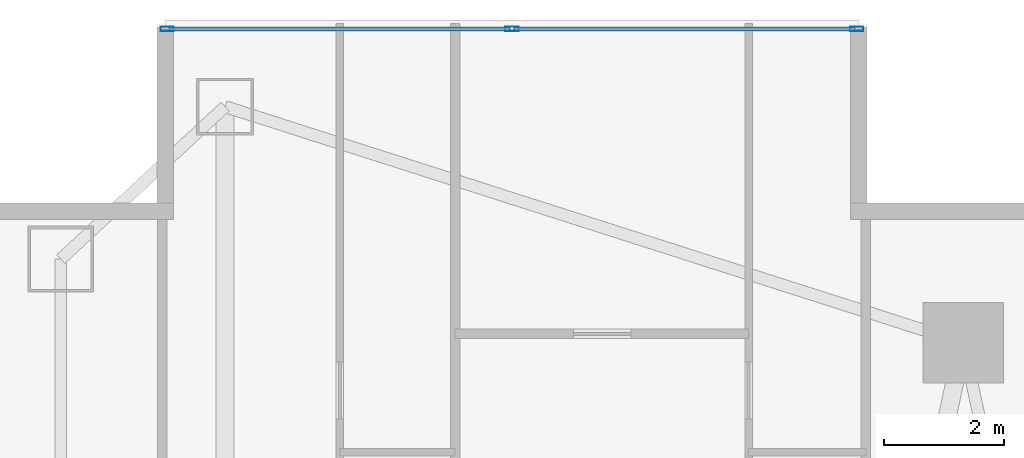
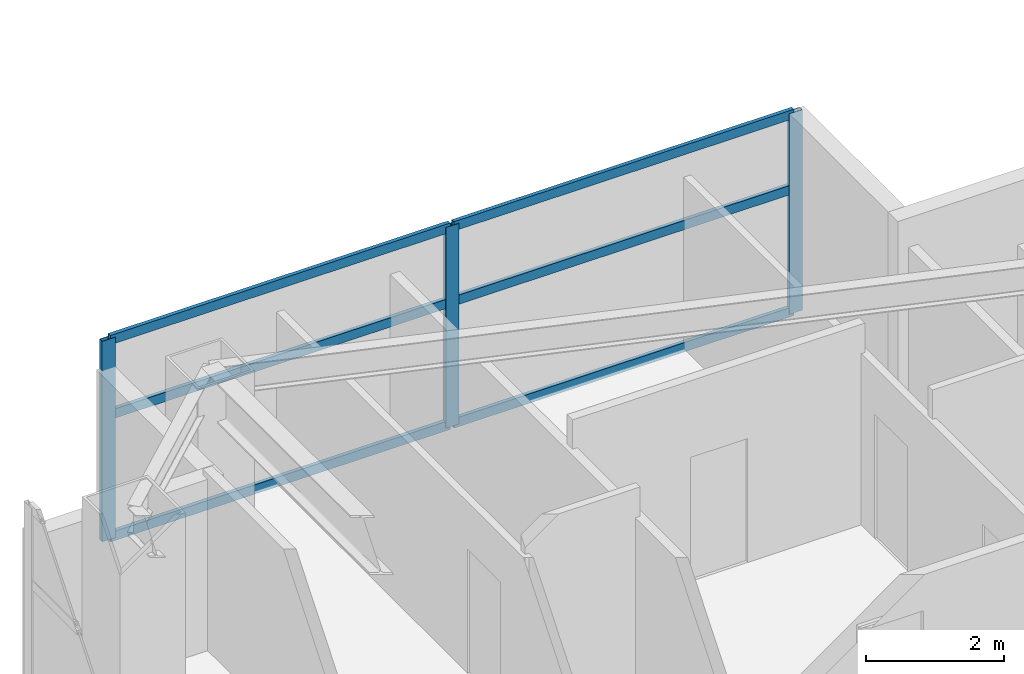
# One storey, part 19 of 30: 9 members, 1 element without a shape of its own.
"""IFC4 building model written with IfcOpenShell, lengths in metres."""

from ifc_helpers import new_model, si_unit, direction, frame, origin, origin_2d, place, context, subcontext, project, spatial, hollow_rectangle, extrude, material, layer, layer_set, material_profile, profile_set, type_object, element, aggregate, save


model = new_model("IFC4")

# Units and contexts
model_context = context("Model", 3, precision=1e-05, world=origin(), true_north=direction((0.0, 1.0)))
body_context = subcontext(model_context, "Body", "Model", "MODEL_VIEW")
ifc_project = project(units=[si_unit("LENGTHUNIT", "METRE"), si_unit("AREAUNIT", "SQUARE_METRE"), si_unit("VOLUMEUNIT", "CUBIC_METRE"), si_unit("PLANEANGLEUNIT", "RADIAN"), si_unit("MASSUNIT", "GRAM", prefix="KILO")], contexts=[model_context])

# Site, building, storey
site_placement = place(None, origin())
site = spatial("IfcSite", under=ifc_project, at=site_placement, CompositionType="ELEMENT")
building_placement = place(site_placement, origin())
building = spatial("IfcBuilding", under=site, at=building_placement, Name="Calvorn Quay Hotel", CompositionType="ELEMENT")
storey_placement = place(building_placement, frame((0.0, 0.0, 73.60009765625)))
storey = spatial("IfcBuildingStorey", under=building, at=storey_placement, Name="L17", CompositionType="ELEMENT", Elevation=73.60009765625)

# Curtain wall, members
ifc_material_1 = material(Name="Pale Anodised Aluminium and Low-E Glass", Category="aluminium")
ifc_layer = layer(ifc_material_1, 0.219970703125)
ifc_layer_set = layer_set([ifc_layer], Name="CW-SYS-Z1")
curtain_wall_type = type_object("IfcCurtainWallType", Name="CW-SYS-Z1", PredefinedType="NOTDEFINED", material=ifc_layer_set)
curtain_wall_placement = place(storey_placement, origin())
curtain_wall = element("IfcCurtainWall", 1, at=curtain_wall_placement, inside=storey, type_object=curtain_wall_type, Name="Inner Court Curtain Wall L17-N1", PredefinedType="NOTDEFINED")
ifc_material_2 = material(Name="Pale Anodised Aluminium 6063-T6", Category="aluminium")
ifc_material_profile_1 = material_profile(ifc_material_2, hollow_rectangle(XDim=0.074951171875, YDim=0.219970703125, WallThickness=0.00439453125, at=origin_2d()), Name="ALU-M220x75x4.5")
ifc_profile_set_1 = profile_set([ifc_material_profile_1], Name="Pale Anodised Aluminium 6063-T6")
member_type_1 = type_object("IfcMemberType", Name="CW-SYS-Z1-MUL", PredefinedType="MULLION", material=ifc_profile_set_1)
member_1_placement = place(storey_placement, frame((14.77001953125, 50.85009765625, 0.0), z_axis=(0.0, 0.0, 1.0), x_axis=(0.0, -1.0, 0.0)))
member_1 = element("IfcMember", 2, at=member_1_placement, type_object=member_type_1, Name="CW-L17-N1 mullion 1", PredefinedType="MULLION", context=body_context, shape_type="SweptSolid", body=[
    extrude(hollow_rectangle(XDim=0.074951171875, YDim=0.219970703125, WallThickness=0.00439453125, at=origin_2d()), origin(), (0.0, 0.0, 1.0), 3.559814453125),
])
member_2_placement = place(storey_placement, frame((9.0, 50.85009765625, 0.0), z_axis=(0.0, 0.0, 1.0), x_axis=(0.0, -1.0, 0.0)))
member_2 = element("IfcMember", 3, at=member_2_placement, type_object=member_type_1, Name="CW-L17-N1 mullion 2", PredefinedType="MULLION", context=body_context, shape_type="SweptSolid", body=[
    extrude(hollow_rectangle(XDim=0.074951171875, YDim=0.219970703125, WallThickness=0.00439453125, at=origin_2d()), origin(), (0.0, 0.0, 1.0), 3.559814453125),
])
member_3_placement = place(storey_placement, frame((3.22998046875, 50.85009765625, 0.0), z_axis=(0.0, 0.0, 1.0), x_axis=(0.0, -1.0, 0.0)))
member_3 = element("IfcMember", 4, at=member_3_placement, type_object=member_type_1, Name="CW-L17-N1 mullion 3", PredefinedType="MULLION", context=body_context, shape_type="SweptSolid", body=[
    extrude(hollow_rectangle(XDim=0.074951171875, YDim=0.219970703125, WallThickness=0.00439453125, at=origin_2d()), origin(), (0.0, 0.0, 1.0), 3.559814453125),
])
ifc_material_3 = material(Name="Pale Anodised Aluminium 6063-T6", Category="aluminium")
ifc_material_profile_2 = material_profile(ifc_material_3, hollow_rectangle(XDim=0.06494140625, YDim=0.1650390625, WallThickness=0.00341796875, at=origin_2d()), Name="ALU-T165x65x3.5")
ifc_profile_set_2 = profile_set([ifc_material_profile_2], Name="Pale Anodised Aluminium 6063-T6")
member_type_2 = type_object("IfcMemberType", Name="CW-SYS-Z1-TRN", PredefinedType="USERDEFINED", material=ifc_profile_set_2)
member_4_placement = place(storey_placement, frame((14.739990234375, 50.85009765625, 0.02978515625), z_axis=(-1.0, 0.0, 0.0), x_axis=(0.0, -1.0, 0.0)))
member_4 = element("IfcMember", 5, at=member_4_placement, type_object=member_type_2, Name="CW-L17-N1 transom 1.1", ObjectType="TRANSOM", PredefinedType="USERDEFINED", context=body_context, shape_type="SweptSolid", body=[
    extrude(hollow_rectangle(XDim=0.06494140625, YDim=0.1650390625, WallThickness=0.00341796875, at=origin_2d()), origin(), (0.0, 0.0, 1.0), 5.7099609375),
])
member_5_placement = place(storey_placement, frame((14.739990234375, 50.85009765625, 2.199951171875), z_axis=(-1.0, 0.0, 0.0), x_axis=(0.0, -1.0, 0.0)))
member_5 = element("IfcMember", 6, at=member_5_placement, type_object=member_type_2, Name="CW-L17-N1 transom 1.2", ObjectType="TRANSOM", PredefinedType="USERDEFINED", context=body_context, shape_type="SweptSolid", body=[
    extrude(hollow_rectangle(XDim=0.06494140625, YDim=0.1650390625, WallThickness=0.00341796875, at=origin_2d()), origin(), (0.0, 0.0, 1.0), 5.7099609375),
])
member_6_placement = place(storey_placement, frame((14.739990234375, 50.85009765625, 3.52978515625), z_axis=(-1.0, 0.0, 0.0), x_axis=(0.0, -1.0, 0.0)))
member_6 = element("IfcMember", 7, at=member_6_placement, type_object=member_type_2, Name="CW-L17-N1 transom 1.3", ObjectType="TRANSOM", PredefinedType="USERDEFINED", context=body_context, shape_type="SweptSolid", body=[
    extrude(hollow_rectangle(XDim=0.06494140625, YDim=0.1650390625, WallThickness=0.00341796875, at=origin_2d()), origin(), (0.0, 0.0, 1.0), 5.7099609375),
])
member_7_placement = place(storey_placement, frame((8.969970703125, 50.85009765625, 0.02978515625), z_axis=(-1.0, 0.0, 0.0), x_axis=(0.0, -1.0, 0.0)))
member_7 = element("IfcMember", 8, at=member_7_placement, type_object=member_type_2, Name="CW-L17-N1 transom 2.1", ObjectType="TRANSOM", PredefinedType="USERDEFINED", context=body_context, shape_type="SweptSolid", body=[
    extrude(hollow_rectangle(XDim=0.06494140625, YDim=0.1650390625, WallThickness=0.00341796875, at=origin_2d()), origin(), (0.0, 0.0, 1.0), 5.7099609375),
])
member_8_placement = place(storey_placement, frame((8.969970703125, 50.85009765625, 2.199951171875), z_axis=(-1.0, 0.0, 0.0), x_axis=(0.0, -1.0, 0.0)))
member_8 = element("IfcMember", 9, at=member_8_placement, type_object=member_type_2, Name="CW-L17-N1 transom 2.2", ObjectType="TRANSOM", PredefinedType="USERDEFINED", context=body_context, shape_type="SweptSolid", body=[
    extrude(hollow_rectangle(XDim=0.06494140625, YDim=0.1650390625, WallThickness=0.00341796875, at=origin_2d()), origin(), (0.0, 0.0, 1.0), 5.7099609375),
])
member_9_placement = place(storey_placement, frame((8.969970703125, 50.85009765625, 3.52978515625), z_axis=(-1.0, 0.0, 0.0), x_axis=(0.0, -1.0, 0.0)))
member_9 = element("IfcMember", 10, at=member_9_placement, type_object=member_type_2, Name="CW-L17-N1 transom 2.3", ObjectType="TRANSOM", PredefinedType="USERDEFINED", context=body_context, shape_type="SweptSolid", body=[
    extrude(hollow_rectangle(XDim=0.06494140625, YDim=0.1650390625, WallThickness=0.00341796875, at=origin_2d()), origin(), (0.0, 0.0, 1.0), 5.7099609375),
])
aggregate(curtain_wall, [member_1, member_2, member_3, member_4, member_5, member_6, member_7, member_8, member_9])

save(model, "model.ifc")
